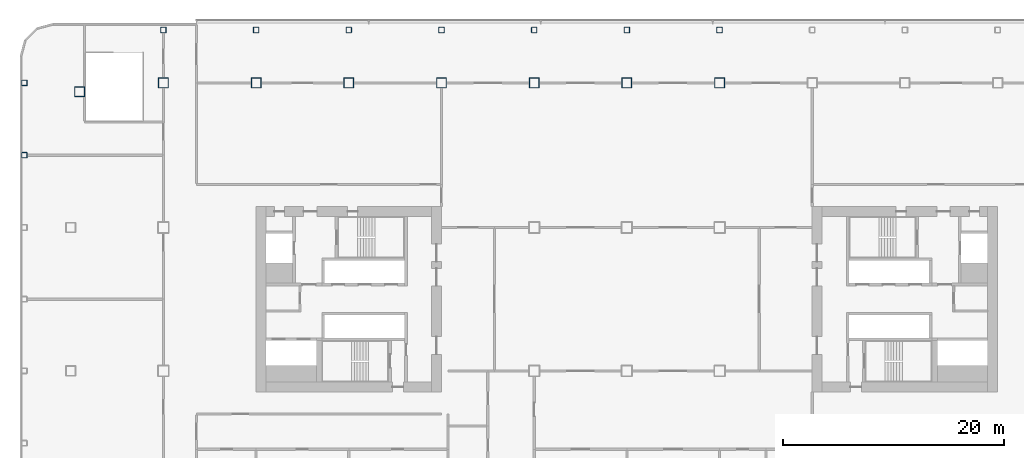
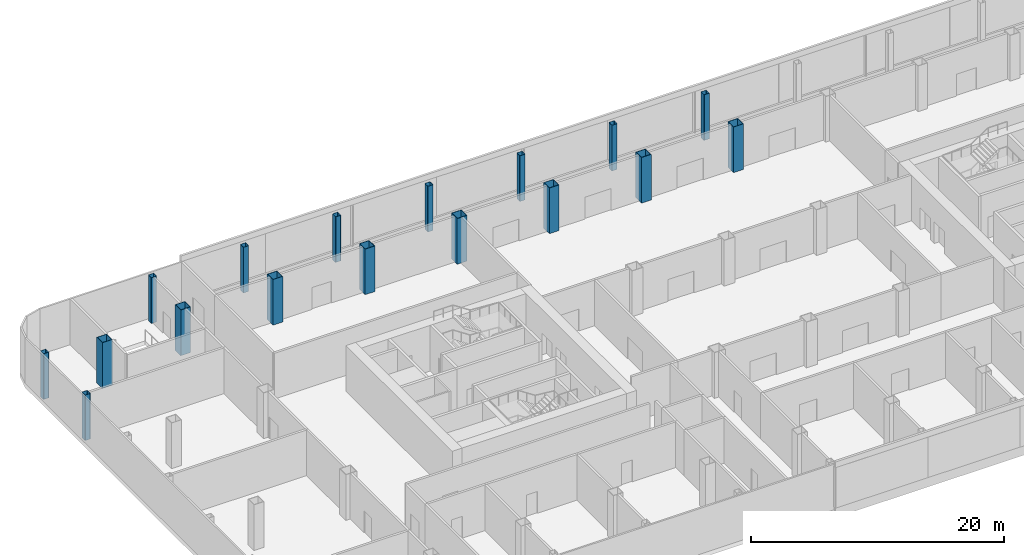
# One storey, part 3 of 53: 17 columns.
"""IFC4 building model written with IfcOpenShell, lengths in metres."""

from ifc_helpers import new_model, si_unit, direction, frame, origin, origin_2d, place, context, subcontext, project, spatial, hollow_rectangle, extrude, material, material_profile, profile_set, type_object, element, save


model = new_model("IFC4")

# Units and contexts
model_context = context("Model", 3, precision=1e-05, world=origin(), true_north=direction((0.0, 1.0)))
body_context = subcontext(model_context, "Body", "Model", "MODEL_VIEW")
ifc_project = project(units=[si_unit("LENGTHUNIT", "METRE"), si_unit("AREAUNIT", "SQUARE_METRE"), si_unit("VOLUMEUNIT", "CUBIC_METRE"), si_unit("PLANEANGLEUNIT", "RADIAN"), si_unit("MASSUNIT", "GRAM", prefix="KILO")], contexts=[model_context])

# Site, building, storey
site_placement = place(None, origin())
site = spatial("IfcSite", under=ifc_project, at=site_placement, CompositionType="ELEMENT")
building_placement = place(site_placement, origin())
building = spatial("IfcBuilding", under=site, at=building_placement, Name="Hakoniwa Tower and Hamabe Station Hall", CompositionType="ELEMENT")
storey_placement = place(building_placement, frame((0.0, 0.0, 15.0)))
storey = spatial("IfcBuildingStorey", under=building, at=storey_placement, Name="L03", CompositionType="ELEMENT", Elevation=15.0)

# Columns
ifc_material_1 = material(Name="Steel BCR295", Category="steel")
ifc_material_profile_1 = material_profile(ifc_material_1, hollow_rectangle(XDim=0.5, YDim=0.5, WallThickness=0.01904296875, InnerFilletRadius=0.028564453125, OuterFilletRadius=0.047607421875, at=origin_2d()), Name="BCR-500x500x19")
ifc_profile_set_1 = profile_set([ifc_material_profile_1], Name="Steel BCR295")
column_type_1 = type_object("IfcColumnType", Name="COLUMN BCR-500x500x19", PredefinedType="COLUMN", material=ifc_profile_set_1)
for number, where, z_axis, x_axis, name in (
    (1, (-42.0, 24.39990234375, 0.0), (0.0, 0.0, 1.0), (1.0, 0.0, 0.0), "Column P-2-RN"),
    (2, (-33.60009765625, 24.39990234375, 0.0), (0.0, 0.0, 1.0), (1.0, 0.0, 0.0), "Column P-3-RN"),
    (3, (-25.199951171875, 24.39990234375, 0.0), (0.0, 0.0, 1.0), (1.0, 0.0, 0.0), "Column P-4-RN"),
    (4, (-16.800048828125, 24.39990234375, 0.0), (0.0, 0.0, 1.0), (1.0, 0.0, 0.0), "Column P-5-RN"),
    (5, (-8.39990234375, 24.39990234375, 0.0), (0.0, 0.0, 1.0), (1.0, 0.0, 0.0), "Column P-6-RN"),
    (6, (0.0, 24.39990234375, 0.0), (0.0, 0.0, 1.0), (1.0, 0.0, 0.0), "Column P-7-RN"),
    (7, (8.39990234375, 24.39990234375, 0.0), (0.0, 0.0, 1.0), (1.0, 0.0, 0.0), "Column P-8-RN"),
    (8, (-54.60009765625, 13.050048828125, 0.0), (0.0, 0.0, 1.0), (1.0, 0.0, 0.0), "Column P-RW-F1"),
    (9, (-54.60009765625, 19.60009765625, 0.0), (0.0, 0.0, 1.0), (1.0, 0.0, 0.0), "Column P-RW-G1"),
):
    element("IfcColumn", number, at=place(storey_placement, frame(where, z_axis=z_axis, x_axis=x_axis)), inside=storey, type_object=column_type_1, Name=name, PredefinedType="COLUMN", context=body_context, shape_type="SweptSolid", body=[
        extrude(hollow_rectangle(XDim=0.5, YDim=0.5, WallThickness=0.01904296875, InnerFilletRadius=0.028564453125, OuterFilletRadius=0.047607421875, at=origin_2d()), origin(), (0.0, 0.0, 1.0), 4.39990234375),
    ])
ifc_material_2 = material(Name="Steel SN490C", Category="steel")
ifc_material_profile_2 = material_profile(ifc_material_2, hollow_rectangle(XDim=0.89990234375, YDim=0.89990234375, WallThickness=0.035888671875, at=origin_2d()), Name="BX-900x900x36")
ifc_profile_set_2 = profile_set([ifc_material_profile_2], Name="Steel SN490C")
column_type_2 = type_object("IfcColumnType", Name="COLUMN BX-900x900x36", PredefinedType="COLUMN", material=ifc_profile_set_2)
for number, where, z_axis, x_axis, name in (
    (10, (-49.60302734375, 18.802978515625, 0.0), (0.0, 0.0, 1.0), (1.0, 0.0, 0.0), "Column P-1-G1"),
    (11, (-42.0, 19.60009765625, 0.0), (0.0, 0.0, 1.0), (1.0, 0.0, 0.0), "Column P-2-G1"),
    (12, (-33.60009765625, 19.60009765625, 0.0), (0.0, 0.0, 1.0), (1.0, 0.0, 0.0), "Column P-3-G1"),
    (13, (-25.199951171875, 19.60009765625, 0.0), (0.0, 0.0, 1.0), (1.0, 0.0, 0.0), "Column P-4-G1"),
    (14, (-16.800048828125, 19.60009765625, 0.0), (0.0, 0.0, 1.0), (1.0, 0.0, 0.0), "Column P-5-G1"),
    (15, (-8.39990234375, 19.60009765625, 0.0), (0.0, 0.0, 1.0), (1.0, 0.0, 0.0), "Column P-6-G1"),
    (16, (0.0, 19.60009765625, 0.0), (0.0, 0.0, 1.0), (1.0, 0.0, 0.0), "Column P-7-G1"),
    (17, (8.39990234375, 19.60009765625, 0.0), (0.0, 0.0, 1.0), (1.0, 0.0, 0.0), "Column P-8-G1"),
):
    element("IfcColumn", number, at=place(storey_placement, frame(where, z_axis=z_axis, x_axis=x_axis)), inside=storey, type_object=column_type_2, Name=name, PredefinedType="COLUMN", context=body_context, shape_type="SweptSolid", body=[
        extrude(hollow_rectangle(XDim=0.89990234375, YDim=0.89990234375, WallThickness=0.035888671875, at=origin_2d()), origin(), (0.0, 0.0, 1.0), 4.39990234375),
    ])

save(model, "model.ifc")
